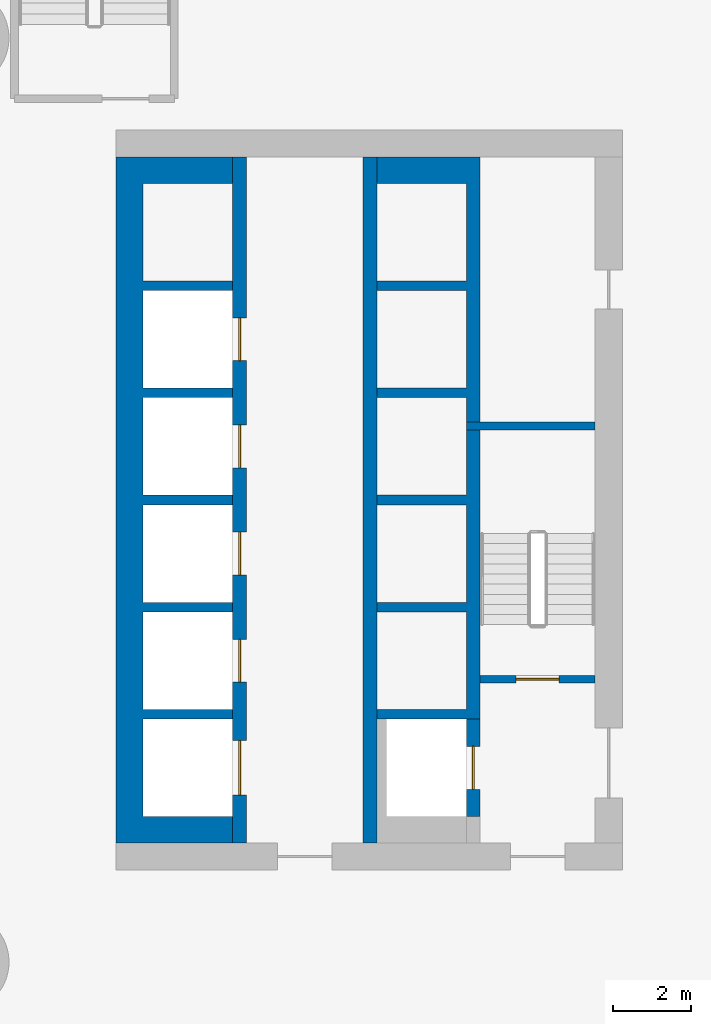
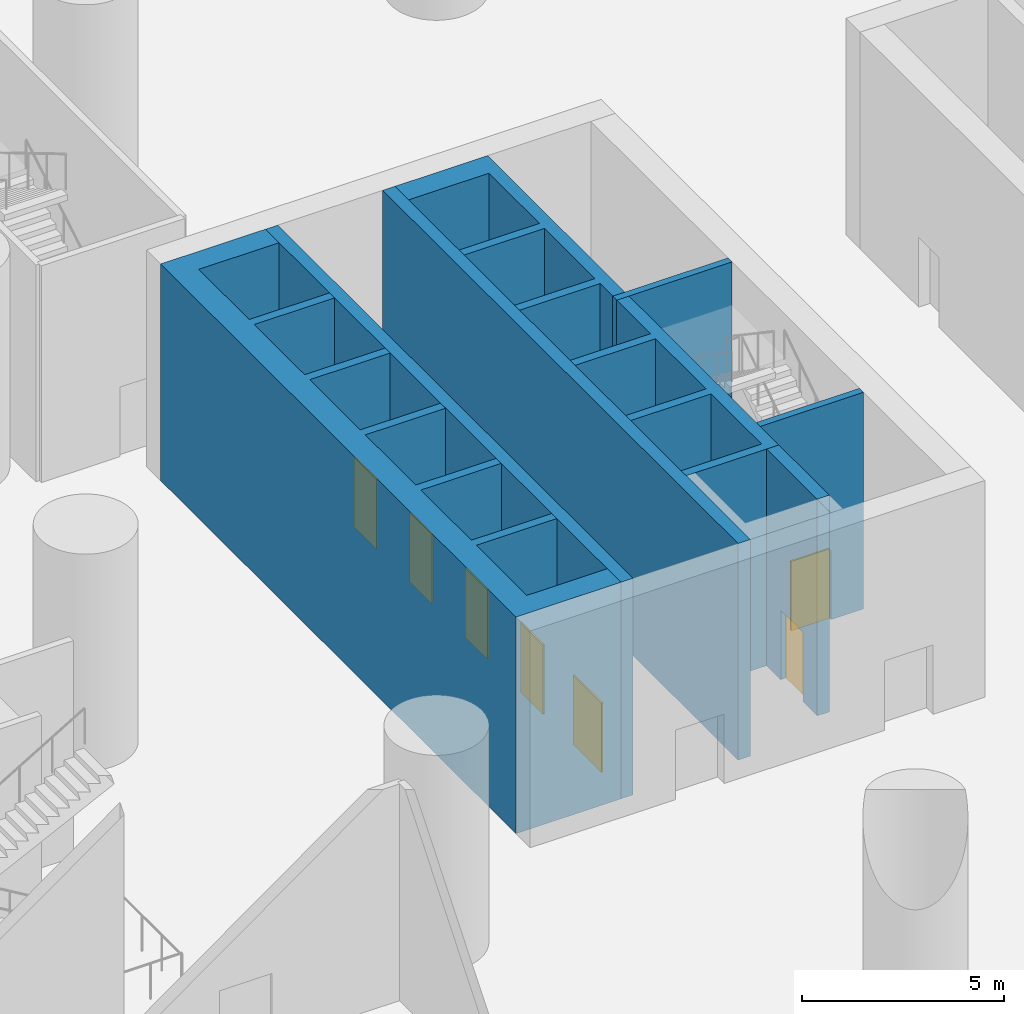
# One storey, part 4 of 30: 7 doors, 7 walls, 7 openings.
"""IFC4 building model written with IfcOpenShell, lengths in metres."""

from ifc_helpers import new_model, si_unit, direction, frame, frame_2d, origin, place, context, subcontext, project, spatial, polyline, rectangle, outline, extrude, material, layer, layer_set, type_object, element, fill, save


model = new_model("IFC4")

# Units and contexts
model_context = context("Model", 3, precision=1e-05, world=origin(), true_north=direction((0.0, 1.0)))
body_context = subcontext(model_context, "Body", "Model", "MODEL_VIEW")
ifc_project = project(units=[si_unit("LENGTHUNIT", "METRE"), si_unit("AREAUNIT", "SQUARE_METRE"), si_unit("VOLUMEUNIT", "CUBIC_METRE"), si_unit("PLANEANGLEUNIT", "RADIAN"), si_unit("MASSUNIT", "GRAM", prefix="KILO")], contexts=[model_context])

# Site, building, storey
site_placement = place(None, origin())
site = spatial("IfcSite", under=ifc_project, at=site_placement, CompositionType="ELEMENT")
building_placement = place(site_placement, origin())
building = spatial("IfcBuilding", under=site, at=building_placement, Name="Tamarind Cross Interchange Tower", CompositionType="ELEMENT")
storey_placement = place(building_placement, frame((0.0, 0.0, -14.0)))
storey = spatial("IfcBuildingStorey", under=building, at=storey_placement, Name="B2", CompositionType="ELEMENT", Elevation=-14.0)

# Walls
ifc_material_1 = material(Name="Concrete C80", Category="concrete")
ifc_layer_1 = layer(ifc_material_1, 0.699951171875)
ifc_layer_set_1 = layer_set([ifc_layer_1], Name="Concrete C80")
wall_type_1 = type_object("IfcWallType", Name="Core wall 700 mm Concrete C80", PredefinedType="SHEAR", material=ifc_layer_set_1)
wall_1_placement = place(storey_placement, origin())
element("IfcWall", 1, at=wall_1_placement, inside=storey, type_object=wall_type_1, Name="Core wall CWL-B2-W-A", PredefinedType="SHEAR", context=body_context, shape_type="SweptSolid", body=[
    extrude(outline(polyline([(-13.5, -8.800048828125), (-13.5, -8.125), (-15.800048828125, -8.125), (-15.800048828125, -5.625), (-13.5, -5.625), (-13.5, -5.375), (-15.800048828125, -5.375), (-15.800048828125, -2.875), (-13.5, -2.875), (-13.5, -2.625), (-15.800048828125, -2.625), (-15.800048828125, -0.125), (-13.5, -0.125), (-13.5, 0.125), (-15.800048828125, 0.125), (-15.800048828125, 2.625), (-13.5, 2.625), (-13.5, 2.875), (-15.800048828125, 2.875), (-15.800048828125, 5.375), (-13.5, 5.375), (-13.5, 5.625), (-15.800048828125, 5.625), (-15.800048828125, 8.125), (-13.5, 8.125), (-13.5, 8.800048828125), (-15.800048828125, 8.800048828125), (-16.5, 8.800048828125), (-16.5, -8.800048828125), (-15.800048828125, -8.800048828125), (-13.5, -8.800048828125)])), origin(), (0.0, 0.0, 1.0), 6.550048828125),
])
ifc_layer_2 = layer(ifc_material_1, 0.199951171875)
ifc_layer_set_2 = layer_set([ifc_layer_2], Name="Concrete C80")
wall_type_2 = type_object("IfcWallType", Name="Core web wall 200 mm Concrete C80", PredefinedType="SHEAR", material=ifc_layer_set_2)
wall_2_placement = place(storey_placement, frame((-7.5, 1.89990234375, 0.0), z_axis=(0.0, 0.0, 1.0), x_axis=(1.0, 0.0, 0.0)))
element("IfcWall", 2, at=wall_2_placement, inside=storey, type_object=wall_type_2, Name="Core wall CWL-B2-W-BD", PredefinedType="SHEAR", context=body_context, shape_type="SweptSolid", body=[
    extrude(rectangle(XDim=3.300048828125, YDim=0.199951171875, at=frame_2d((1.64990234375, 0.0))), origin(), (0.0, 0.0, 1.0), 6.550048828125),
])
ifc_layer_3 = layer(ifc_material_1, 0.35009765625)
ifc_layer_set_3 = layer_set([ifc_layer_3], Name="Concrete C80")
wall_type_3 = type_object("IfcWallType", Name="Core web wall 350 mm Concrete C80", PredefinedType="SHEAR", material=ifc_layer_set_3)
wall_3_placement = place(storey_placement, origin())
element("IfcWall", 3, at=wall_3_placement, inside=storey, type_object=wall_type_3, Name="Core wall CWL-B2-W-BN", PredefinedType="SHEAR", context=body_context, shape_type="SweptSolid", body=[
    extrude(outline(polyline([(-9.800048828125, -5.375), (-9.800048828125, -5.625), (-7.5, -5.625), (-7.14990234375, -5.625), (-7.14990234375, 8.800048828125), (-7.5, 8.800048828125), (-9.800048828125, 8.800048828125), (-9.800048828125, 8.125), (-7.5, 8.125), (-7.5, 5.625), (-9.800048828125, 5.625), (-9.800048828125, 5.375), (-7.5, 5.375), (-7.5, 2.875), (-9.800048828125, 2.875), (-9.800048828125, 2.625), (-7.5, 2.625), (-7.5, 0.125), (-9.800048828125, 0.125), (-9.800048828125, -0.125), (-7.5, -0.125), (-7.5, -2.625), (-9.800048828125, -2.625), (-9.800048828125, -2.875), (-7.5, -2.875), (-7.5, -5.375), (-9.800048828125, -5.375)])), origin(), (0.0, 0.0, 1.0), 6.550048828125),
])

# Wall, openings, doors
wall_4_placement = place(storey_placement, frame((-13.324951171875, -8.800048828125, 0.0), z_axis=(0.0, 0.0, 1.0), x_axis=(0.0, 1.0, 0.0)))
wall_4 = element("IfcWall", 4, at=wall_4_placement, inside=storey, type_object=wall_type_3, Name="Core wall CWL-B2-W-LA", PredefinedType="SHEAR", context=body_context, shape_type="SweptSolid", body=[
    extrude(rectangle(XDim=17.60009765625, YDim=0.35009765625, at=frame_2d((8.800048828125, 0.0))), origin(), (0.0, 0.0, 1.0), 6.550048828125),
])
opening_1_placement = place(wall_4_placement, frame((1.22509765625, 0.0, 0.0)))
opening_1 = element("IfcOpeningElement", 5, at=opening_1_placement, cuts=wall_4, Name="Opening LD1B2", PredefinedType="OPENING", context=body_context, shape_type="SweptSolid", body=[
    extrude(rectangle(XDim=1.39990234375, YDim=2.10009765625, at=frame_2d((0.699951171875, 1.050048828125))), frame((0.0, 0.18505859375, 0.0), z_axis=(0.0, -1.0, 0.0), x_axis=(1.0, 0.0, 0.0)), (0.0, 0.0, 1.0), 0.3701171875),
])
opening_2_placement = place(wall_4_placement, frame((4.125, 0.0, 0.0)))
opening_2 = element("IfcOpeningElement", 6, at=opening_2_placement, cuts=wall_4, Name="Opening LD2B2", PredefinedType="OPENING", context=body_context, shape_type="SweptSolid", body=[
    extrude(rectangle(XDim=1.10009765625, YDim=2.10009765625, at=frame_2d((0.550048828125, 1.050048828125))), frame((0.0, 0.18505859375, 0.0), z_axis=(0.0, -1.0, 0.0), x_axis=(1.0, 0.0, 0.0)), (0.0, 0.0, 1.0), 0.3701171875),
])
opening_3_placement = place(wall_4_placement, frame((6.875, 0.0, 0.0)))
opening_3 = element("IfcOpeningElement", 7, at=opening_3_placement, cuts=wall_4, Name="Opening LD3B2", PredefinedType="OPENING", context=body_context, shape_type="SweptSolid", body=[
    extrude(rectangle(XDim=1.10009765625, YDim=2.10009765625, at=frame_2d((0.550048828125, 1.050048828125))), frame((0.0, 0.18505859375, 0.0), z_axis=(0.0, -1.0, 0.0), x_axis=(1.0, 0.0, 0.0)), (0.0, 0.0, 1.0), 0.3701171875),
])
opening_4_placement = place(wall_4_placement, frame((9.625, 0.0, 0.0)))
opening_4 = element("IfcOpeningElement", 8, at=opening_4_placement, cuts=wall_4, Name="Opening LD4B2", PredefinedType="OPENING", context=body_context, shape_type="SweptSolid", body=[
    extrude(rectangle(XDim=1.10009765625, YDim=2.10009765625, at=frame_2d((0.550048828125, 1.050048828125))), frame((0.0, 0.18505859375, 0.0), z_axis=(0.0, -1.0, 0.0), x_axis=(1.0, 0.0, 0.0)), (0.0, 0.0, 1.0), 0.3701171875),
])
opening_5_placement = place(wall_4_placement, frame((12.375, 0.0, 0.0)))
opening_5 = element("IfcOpeningElement", 9, at=opening_5_placement, cuts=wall_4, Name="Opening LD5B2", PredefinedType="OPENING", context=body_context, shape_type="SweptSolid", body=[
    extrude(rectangle(XDim=1.10009765625, YDim=2.10009765625, at=frame_2d((0.550048828125, 1.050048828125))), frame((0.0, 0.18505859375, 0.0), z_axis=(0.0, -1.0, 0.0), x_axis=(1.0, 0.0, 0.0)), (0.0, 0.0, 1.0), 0.3701171875),
])
ifc_material_2 = material(Name="Stainless steel panel", Category="steel")
door_type_1 = type_object("IfcDoorType", Name="Lift landing door 1100 x 2100 E 120", OperationType="SLIDING_TO_LEFT", PredefinedType="DOOR", material=ifc_material_2)
door_1_placement = place(opening_2_placement, origin())
door_1 = element("IfcDoor", 10, at=door_1_placement, inside=storey, type_object=door_type_1, Name="B2 landing door LF2", OperationType="SLIDING_TO_LEFT", OverallHeight=2.10009765625, OverallWidth=1.10009765625, PredefinedType="DOOR", context=body_context, shape_type="SweptSolid", body=[
    extrude(rectangle(XDim=1.10009765625, YDim=2.10009765625, at=frame_2d((0.550048828125, 1.050048828125))), frame((0.0, 0.02490234375, 0.0), z_axis=(0.0, -1.0, 0.0), x_axis=(1.0, 0.0, 0.0)), (0.0, 0.0, 1.0), 0.050048828125),
])
fill(opening_2, door_1)
door_2_placement = place(opening_3_placement, origin())
door_2 = element("IfcDoor", 11, at=door_2_placement, inside=storey, type_object=door_type_1, Name="B2 landing door LF3", OperationType="SLIDING_TO_LEFT", OverallHeight=2.10009765625, OverallWidth=1.10009765625, PredefinedType="DOOR", context=body_context, shape_type="SweptSolid", body=[
    extrude(rectangle(XDim=1.10009765625, YDim=2.10009765625, at=frame_2d((0.550048828125, 1.050048828125))), frame((0.0, 0.02490234375, 0.0), z_axis=(0.0, -1.0, 0.0), x_axis=(1.0, 0.0, 0.0)), (0.0, 0.0, 1.0), 0.050048828125),
])
fill(opening_3, door_2)
door_3_placement = place(opening_4_placement, origin())
door_3 = element("IfcDoor", 12, at=door_3_placement, inside=storey, type_object=door_type_1, Name="B2 landing door LF4", OperationType="SLIDING_TO_LEFT", OverallHeight=2.10009765625, OverallWidth=1.10009765625, PredefinedType="DOOR", context=body_context, shape_type="SweptSolid", body=[
    extrude(rectangle(XDim=1.10009765625, YDim=2.10009765625, at=frame_2d((0.550048828125, 1.050048828125))), frame((0.0, 0.02490234375, 0.0), z_axis=(0.0, -1.0, 0.0), x_axis=(1.0, 0.0, 0.0)), (0.0, 0.0, 1.0), 0.050048828125),
])
fill(opening_4, door_3)
door_4_placement = place(opening_5_placement, origin())
door_4 = element("IfcDoor", 13, at=door_4_placement, inside=storey, type_object=door_type_1, Name="B2 landing door LF5", OperationType="SLIDING_TO_LEFT", OverallHeight=2.10009765625, OverallWidth=1.10009765625, PredefinedType="DOOR", context=body_context, shape_type="SweptSolid", body=[
    extrude(rectangle(XDim=1.10009765625, YDim=2.10009765625, at=frame_2d((0.550048828125, 1.050048828125))), frame((0.0, 0.02490234375, 0.0), z_axis=(0.0, -1.0, 0.0), x_axis=(1.0, 0.0, 0.0)), (0.0, 0.0, 1.0), 0.050048828125),
])
fill(opening_5, door_4)
door_type_2 = type_object("IfcDoorType", Name="Lift landing door 1400 x 2100 E 120", OperationType="SLIDING_TO_LEFT", PredefinedType="DOOR", material=ifc_material_2)
door_5_placement = place(opening_1_placement, origin())
door_5 = element("IfcDoor", 14, at=door_5_placement, inside=storey, type_object=door_type_2, Name="B2 landing door LF1", OperationType="SLIDING_TO_LEFT", OverallHeight=2.10009765625, OverallWidth=1.39990234375, PredefinedType="DOOR", context=body_context, shape_type="SweptSolid", body=[
    extrude(rectangle(XDim=1.39990234375, YDim=2.10009765625, at=frame_2d((0.699951171875, 1.050048828125))), frame((0.0, 0.02490234375, 0.0), z_axis=(0.0, -1.0, 0.0), x_axis=(1.0, 0.0, 0.0)), (0.0, 0.0, 1.0), 0.050048828125),
])
fill(opening_1, door_5)

# Wall
wall_5_placement = place(storey_placement, frame((-9.97509765625, -8.800048828125, 0.0), z_axis=(0.0, 0.0, 1.0), x_axis=(0.0, 1.0, 0.0)))
element("IfcWall", 15, at=wall_5_placement, inside=storey, type_object=wall_type_3, Name="Core wall CWL-B2-W-LB", PredefinedType="SHEAR", context=body_context, shape_type="SweptSolid", body=[
    extrude(rectangle(XDim=17.60009765625, YDim=0.35009765625, at=frame_2d((8.800048828125, 0.0))), origin(), (0.0, 0.0, 1.0), 6.550048828125),
])

# Wall, opening, door
wall_6_placement = place(storey_placement, frame((-7.324951171875, -8.125, 0.0), z_axis=(0.0, 0.0, 1.0), x_axis=(0.0, 1.0, 0.0)))
wall_6 = element("IfcWall", 16, at=wall_6_placement, inside=storey, type_object=wall_type_3, Name="Core wall CWL-B2-W-FF", PredefinedType="SHEAR", context=body_context, shape_type="SweptSolid", body=[
    extrude(rectangle(XDim=2.5, YDim=0.35009765625, at=frame_2d((1.25, 0.0))), origin(), (0.0, 0.0, 1.0), 6.550048828125),
])
opening_6_placement = place(wall_6_placement, frame((0.699951171875, 0.0, 0.0)))
opening_6 = element("IfcOpeningElement", 17, at=opening_6_placement, cuts=wall_6, Name="Opening LD7B2", PredefinedType="OPENING", context=body_context, shape_type="SweptSolid", body=[
    extrude(rectangle(XDim=1.10009765625, YDim=2.10009765625, at=frame_2d((0.550048828125, 1.050048828125))), frame((0.0, 0.18505859375, 0.0), z_axis=(0.0, -1.0, 0.0), x_axis=(1.0, 0.0, 0.0)), (0.0, 0.0, 1.0), 0.3701171875),
])
door_6_placement = place(opening_6_placement, origin())
door_6 = element("IfcDoor", 18, at=door_6_placement, inside=storey, type_object=door_type_1, Name="B2 landing door LF7", OperationType="SLIDING_TO_LEFT", OverallHeight=2.10009765625, OverallWidth=1.10009765625, PredefinedType="DOOR", context=body_context, shape_type="SweptSolid", body=[
    extrude(rectangle(XDim=1.10009765625, YDim=2.10009765625, at=frame_2d((0.550048828125, 1.050048828125))), frame((0.0, 0.02490234375, 0.0), z_axis=(0.0, -1.0, 0.0), x_axis=(1.0, 0.0, 0.0)), (0.0, 0.0, 1.0), 0.050048828125),
])
fill(opening_6, door_6)

ifc_material_3 = material(Name="Concrete C40", Category="concrete")
ifc_layer_4 = layer(ifc_material_3, 0.199951171875)
ifc_layer_set_4 = layer_set([ifc_layer_4], Name="Concrete C40")
wall_type_4 = type_object("IfcWallType", Name="Stair shaft wall 200 mm Concrete C40", PredefinedType="SHEAR", material=ifc_layer_set_4)
wall_7_placement = place(storey_placement, frame((-7.14990234375, -4.60009765625, 0.0), z_axis=(0.0, 0.0, 1.0), x_axis=(1.0, 0.0, 0.0)))
wall_7 = element("IfcWall", 19, at=wall_7_placement, inside=storey, type_object=wall_type_4, Name="Core wall CWL-B2-W-SD", PredefinedType="SHEAR", context=body_context, shape_type="SweptSolid", body=[
    extrude(rectangle(XDim=2.949951171875, YDim=0.199951171875, at=frame_2d((1.47509765625, 0.0))), origin(), (0.0, 0.0, 1.0), 6.550048828125),
])
opening_7_placement = place(wall_7_placement, frame((0.925048828125, 0.0, 0.0)))
opening_7 = element("IfcOpeningElement", 20, at=opening_7_placement, cuts=wall_7, Name="Opening DCW6", PredefinedType="OPENING", context=body_context, shape_type="SweptSolid", body=[
    extrude(rectangle(XDim=1.10009765625, YDim=2.10009765625, at=frame_2d((0.550048828125, 1.050048828125))), frame((0.0, 0.10986328125, 0.0), z_axis=(0.0, -1.0, 0.0), x_axis=(1.0, 0.0, 0.0)), (0.0, 0.0, 1.0), 0.219970703125),
])
ifc_material_4 = material(Name="Steel, fire-resisting", Category="steel")
door_type_3 = type_object("IfcDoorType", Name="Core fire door 1100 x 2100 FD90", OperationType="SINGLE_SWING_LEFT", PredefinedType="DOOR", material=ifc_material_4)
door_7_placement = place(opening_7_placement, origin())
door_7 = element("IfcDoor", 21, at=door_7_placement, inside=storey, type_object=door_type_3, Name="B2 stair door", OperationType="SINGLE_SWING_LEFT", OverallHeight=2.10009765625, OverallWidth=1.10009765625, PredefinedType="DOOR", context=body_context, shape_type="SweptSolid", body=[
    extrude(rectangle(XDim=1.10009765625, YDim=2.10009765625, at=frame_2d((0.550048828125, 1.050048828125))), frame((0.0, 0.02490234375, 0.0), z_axis=(0.0, -1.0, 0.0), x_axis=(1.0, 0.0, 0.0)), (0.0, 0.0, 1.0), 0.050048828125),
])
fill(opening_7, door_7)

save(model, "model.ifc")
